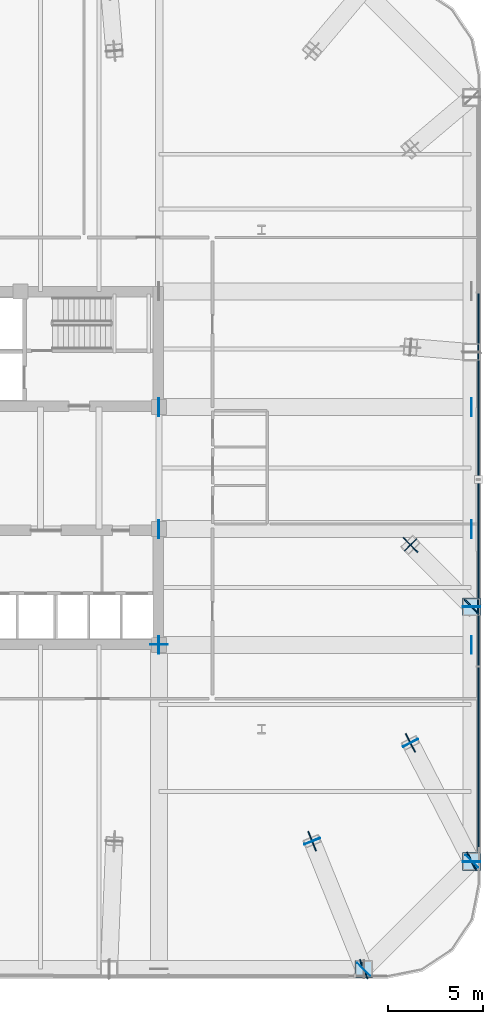
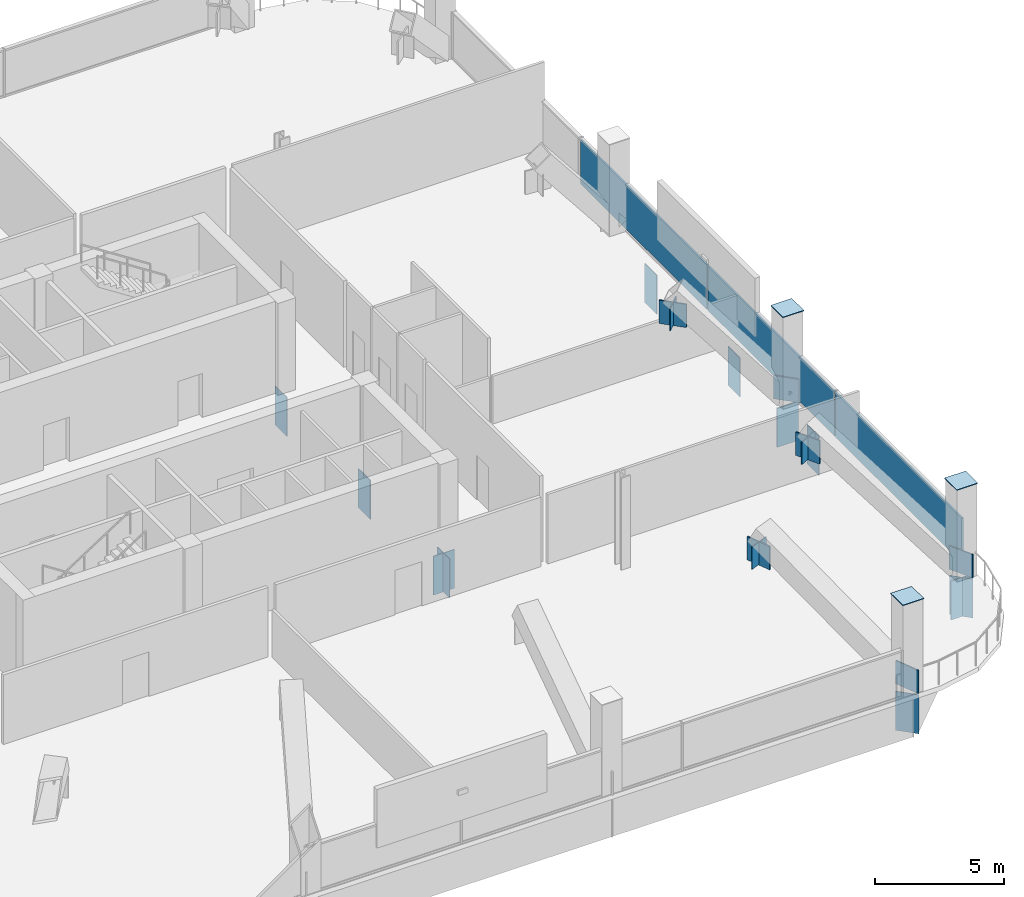
# One storey, part 28 of 38: 27 plates, 1 element without a shape of its own.
"""IFC4 building model written with IfcOpenShell, lengths in metres."""

from ifc_helpers import new_model, si_unit, direction, frame, origin, origin_2d, place, context, subcontext, project, spatial, rectangle, extrude, material, layer, layer_set, type_object, element, aggregate, save


model = new_model("IFC4")

# Units and contexts
model_context = context("Model", 3, precision=1e-05, world=origin(), true_north=direction((0.0, 1.0)))
body_context = subcontext(model_context, "Body", "Model", "MODEL_VIEW")
ifc_project = project(units=[si_unit("LENGTHUNIT", "METRE"), si_unit("AREAUNIT", "SQUARE_METRE"), si_unit("VOLUMEUNIT", "CUBIC_METRE"), si_unit("PLANEANGLEUNIT", "RADIAN"), si_unit("MASSUNIT", "GRAM", prefix="KILO")], contexts=[model_context])

# Site, building, storey
site_placement = place(None, origin())
site = spatial("IfcSite", under=ifc_project, at=site_placement, CompositionType="ELEMENT")
building_placement = place(site_placement, origin())
building = spatial("IfcBuilding", under=site, at=building_placement, Name="Qhalaya Broadcast Tower", CompositionType="ELEMENT")
storey_placement = place(building_placement, frame((0.0, 0.0, 53.550048828125)))
storey = spatial("IfcBuildingStorey", under=building, at=storey_placement, Name="L15", CompositionType="ELEMENT", Elevation=53.550048828125)

# Plates
ifc_material_1 = material(Name="Structural Steel ASTM A572 Grade 50", Category="steel")
ifc_layer_1 = layer(ifc_material_1, 0.054931640625, Name="Structural Steel ASTM A572 Grade 50")
ifc_layer_set_1 = layer_set([ifc_layer_1], Name="Structural Steel ASTM A572 Grade 50")
plate_type_1 = type_object("IfcPlateType", Name="Exoskeleton Diamond Node Gusset Plate NP-01", PredefinedType="USERDEFINED", material=ifc_layer_set_1)
for number, where, z_axis, x_axis, name in (
    (1, (20.199951171875, -25.89990234375, 0.0), (0.0, 0.0, 1.0), (-0.373991579453, 0.927432099131, 0.0), "L15 Strut Foot Gusset Plate 04"),
    (2, (17.469970703125, -19.1298828125, 2.7099609375), (0.0, 0.0, 1.0), (-0.373991579453, 0.927432099131, 0.0), "L15 Strut Head Gusset Plate 04"),
    (3, (25.89990234375, -20.199951171875, 0.0), (0.0, 0.0, 1.0), (-0.457951494755, 0.888977181064, 0.0), "L15 Strut Foot Gusset Plate 05"),
    (4, (22.669921875, -13.929931640625, 2.7099609375), (0.0, 0.0, 1.0), (-0.457951494755, 0.888977181064, 0.0), "L15 Strut Head Gusset Plate 05"),
    (5, (25.89990234375, -6.7333984375, 0.0), (0.0, 0.0, 1.0), (-0.702736895037, 0.711449827011, 0.0), "L15 Strut Foot Gusset Plate 06"),
    (6, (22.669921875, -3.46337890625, 2.7099609375), (0.0, 0.0, 1.0), (-0.702736895037, 0.711449827011, 0.0), "L15 Strut Head Gusset Plate 06"),
):
    element("IfcPlate", number, at=place(storey_placement, frame(where, z_axis=z_axis, x_axis=x_axis)), inside=storey, type_object=plate_type_1, Name=name, ObjectType="GUSSET_PLATE", PredefinedType="USERDEFINED", context=body_context, shape_type="SweptSolid", body=[
        extrude(rectangle(XDim=1.10009765625, YDim=0.06005859375, at=origin_2d()), origin(), (0.0, 0.0, 1.0), 1.10009765625),
    ])
ifc_layer_2 = layer(ifc_material_1, 0.4599609375, Name="Structural Steel ASTM A572 Grade 50")
ifc_layer_set_2 = layer_set([ifc_layer_2], Name="Structural Steel ASTM A572 Grade 50")
plate_type_2 = type_object("IfcPlateType", Name="Hollow Box Member End Cap Plate CP-01", PredefinedType="USERDEFINED", material=ifc_layer_set_2)
for number, where, z_axis, x_axis, name in (
    (7, (20.188720703125, -25.911376953125, -2.0400390625), (0.0, 0.0, 1.0), (-0.707106781187, 0.707106781187, 0.0), "L15 Hollow Girder End Cap L15-SPR-04-A"),
    (8, (25.911376953125, -20.188720703125, -2.0400390625), (0.0, 0.0, 1.0), (-0.707106781187, 0.707106781187, 0.0), "L15 Hollow Girder End Cap L15-SPR-04-B"),
    (9, (25.89990234375, -20.216064453125, -2.0400390625), (0.0, 0.0, 1.0), (-1.0, 0.0, 0.0), "L15 Hollow Girder End Cap L15-SPR-05-A"),
    (10, (25.89990234375, -6.71728515625, -2.0400390625), (0.0, 0.0, 1.0), (-1.0, 0.0, 0.0), "L15 Hollow Girder End Cap L15-SPR-05-B"),
    (11, (25.89990234375, -6.749267578125, -2.0400390625), (0.0, 0.0, 1.0), (-1.0, 0.0, 0.0), "L15 Hollow Girder End Cap L15-SPR-06-A"),
    (12, (9.375, -8.73388671875, -2.0400390625), (0.0, 0.0, 1.0), (-1.0, 0.0, 0.0), "L15 Hollow Girder End Cap L15-PGXS2-1-B"),
    (13, (9.35888671875, -8.75, -2.0400390625), (0.0, 0.0, 1.0), (0.0, 1.0, 0.0), "L15 Hollow Girder End Cap L15-PGYE1-1-A"),
    (14, (25.89599609375, -8.75, -2.0400390625), (0.0, 0.0, 1.0), (0.0, 1.0, 0.0), "L15 Hollow Girder End Cap L15-PGYE1-1-B"),
    (15, (9.35888671875, -2.625, -2.0400390625), (0.0, 0.0, 1.0), (0.0, 1.0, 0.0), "L15 Hollow Girder End Cap L15-PGYE2-1-A"),
    (16, (25.89599609375, -2.625, -2.0400390625), (0.0, 0.0, 1.0), (0.0, 1.0, 0.0), "L15 Hollow Girder End Cap L15-PGYE2-1-B"),
    (17, (9.35888671875, 3.824951171875, -2.0400390625), (0.0, 0.0, 1.0), (0.0, 1.0, 0.0), "L15 Hollow Girder End Cap L15-PGYE3-1-A"),
    (18, (25.89599609375, 3.824951171875, -2.0400390625), (0.0, 0.0, 1.0), (0.0, 1.0, 0.0), "L15 Hollow Girder End Cap L15-PGYE3-1-B"),
):
    element("IfcPlate", number, at=place(storey_placement, frame(where, z_axis=z_axis, x_axis=x_axis)), inside=storey, type_object=plate_type_2, Name=name, ObjectType="COVER_PLATE", PredefinedType="USERDEFINED", context=body_context, shape_type="SweptSolid", body=[
        extrude(rectangle(XDim=0.93994140625, YDim=0.031982421875, at=origin_2d()), origin(), (0.0, 0.0, 1.0), 1.840087890625),
    ])
for number, where, z_axis, x_axis, name in (
    (19, (20.199951171875, -25.89990234375, 4.35009765625), (0.0, 0.0, 1.0), (1.0, 0.0, 0.0), "L15 Hollow Box Column Top Cap Plate COL-EX04"),
    (20, (25.89990234375, -20.199951171875, 4.35009765625), (0.0, 0.0, 1.0), (0.0, 1.0, 0.0), "L15 Hollow Box Column Top Cap Plate COL-EX05"),
    (21, (25.89990234375, -6.7333984375, 4.35009765625), (0.0, 0.0, 1.0), (0.0, 1.0, 0.0), "L15 Hollow Box Column Top Cap Plate COL-EX06"),
):
    element("IfcPlate", number, at=place(storey_placement, frame(where, z_axis=z_axis, x_axis=x_axis)), inside=storey, type_object=plate_type_2, Name=name, ObjectType="COVER_PLATE", PredefinedType="USERDEFINED", context=body_context, shape_type="SweptSolid", body=[
        extrude(rectangle(XDim=0.93994140625, YDim=0.93994140625, at=origin_2d()), origin(), (0.0, 0.0, 1.0), 0.031982421875),
    ])

# Curtain wall, plates
ifc_material_2 = material(Name="Fired Architectural Terracotta", Category="masonry")
ifc_layer_3 = layer(ifc_material_2, 0.219970703125, Name="Fired Architectural Terracotta")
ifc_layer_set_3 = layer_set([ifc_layer_3], Name="Fired Architectural Terracotta")
curtain_wall_type = type_object("IfcCurtainWallType", Name="Block-Cap Unitised Terracotta Spandrel Wall CW-07", PredefinedType="NOTDEFINED", material=ifc_layer_set_3)
curtain_wall_placement = place(storey_placement, origin())
curtain_wall = element("IfcCurtainWall", 22, at=curtain_wall_placement, inside=storey, type_object=curtain_wall_type, Name="L15 Unitised Curtain Wall L15-CW-E", PredefinedType="NOTDEFINED")
ifc_layer_4 = layer(ifc_material_2, 0.080078125, Name="Fired Architectural Terracotta")
ifc_layer_set_4 = layer_set([ifc_layer_4], Name="Fired Architectural Terracotta")
plate_type_3 = type_object("IfcPlateType", Name="Insulated Terracotta Spandrel Panel TSP-07", PredefinedType="CURTAIN_PANEL", material=ifc_layer_set_4)
plate_1_placement = place(storey_placement, frame((26.260009765625, 4.9404296875, 0.074951171875), z_axis=(0.0, 0.0, 1.0), x_axis=(0.0, -1.0, 0.0)))
plate_1 = element("IfcPlate", 23, at=plate_1_placement, type_object=plate_type_3, Name="CW-07 panel 2.1", PredefinedType="CURTAIN_PANEL", context=body_context, shape_type="SweptSolid", body=[
    extrude(rectangle(XDim=9.805908203125, YDim=0.080078125, at=origin_2d()), origin(), (0.0, 0.0, 1.0), 2.10009765625),
])
plate_2_placement = place(storey_placement, frame((26.260009765625, -4.9404296875, 0.074951171875), z_axis=(0.0, 0.0, 1.0), x_axis=(0.0, -1.0, 0.0)))
plate_2 = element("IfcPlate", 24, at=plate_2_placement, type_object=plate_type_3, Name="CW-07 panel 3.1", PredefinedType="CURTAIN_PANEL", context=body_context, shape_type="SweptSolid", body=[
    extrude(rectangle(XDim=9.805908203125, YDim=0.080078125, at=origin_2d()), origin(), (0.0, 0.0, 1.0), 2.10009765625),
])
plate_3_placement = place(storey_placement, frame((26.260009765625, -14.802734375, 0.074951171875), z_axis=(0.0, 0.0, 1.0), x_axis=(0.0, -1.0, 0.0)))
plate_3 = element("IfcPlate", 25, at=plate_3_placement, type_object=plate_type_3, Name="CW-07 panel 4.1", PredefinedType="CURTAIN_PANEL", context=body_context, shape_type="SweptSolid", body=[
    extrude(rectangle(XDim=9.7685546875, YDim=0.080078125, at=origin_2d()), origin(), (0.0, 0.0, 1.0), 2.10009765625),
])
aggregate(curtain_wall, [plate_1, plate_2, plate_3])

# Plates
ifc_layer_5 = layer(ifc_material_1, 0.044921875, Name="Structural Steel ASTM A572 Grade 50")
ifc_layer_set_5 = layer_set([ifc_layer_5], Name="Structural Steel ASTM A572 Grade 50")
plate_type_4 = type_object("IfcPlateType", Name="Transfer Girder Web Stiffener Plate WS-01", PredefinedType="USERDEFINED", material=ifc_layer_set_5)
for number, where, z_axis, x_axis, name in (
    (26, (17.469970703125, -19.1298828125, 2.73486328125), (0.0, 0.0, 1.0), (-0.927432099131, -0.373991579453, 0.0), "L15 Strut Head Cross Diaphragm Plate 04"),
    (27, (22.669921875, -13.929931640625, 2.73486328125), (0.0, 0.0, 1.0), (-0.888977181064, -0.457951494755, 0.0), "L15 Strut Head Cross Diaphragm Plate 05"),
    (28, (22.669921875, -3.46337890625, 2.73486328125), (0.0, 0.0, 1.0), (-0.711449827011, -0.702736895037, 0.0), "L15 Strut Head Cross Diaphragm Plate 06"),
):
    element("IfcPlate", number, at=place(storey_placement, frame(where, z_axis=z_axis, x_axis=x_axis)), inside=storey, type_object=plate_type_4, Name=name, ObjectType="STIFFENER_PLATE", PredefinedType="USERDEFINED", context=body_context, shape_type="SweptSolid", body=[
        extrude(rectangle(XDim=0.89990234375, YDim=0.044921875, at=origin_2d()), origin(), (0.0, 0.0, 1.0), 1.050048828125),
    ])

save(model, "model.ifc")
